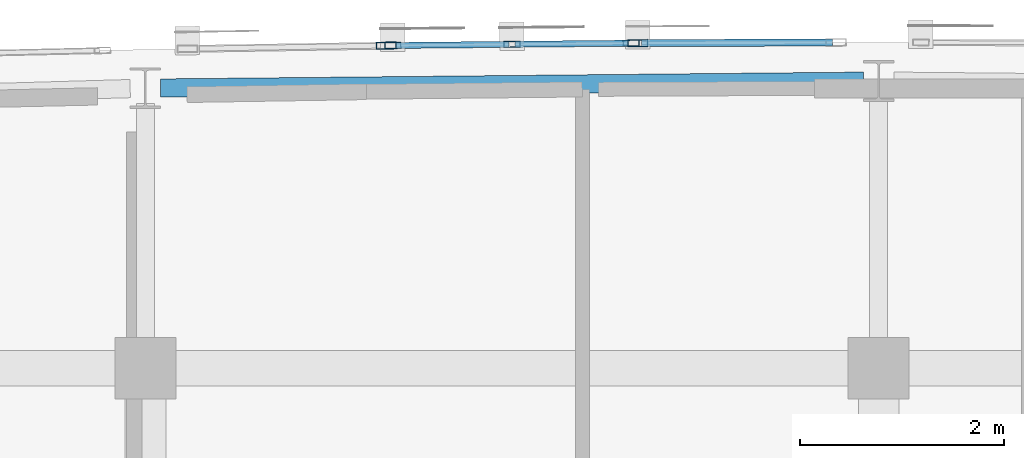
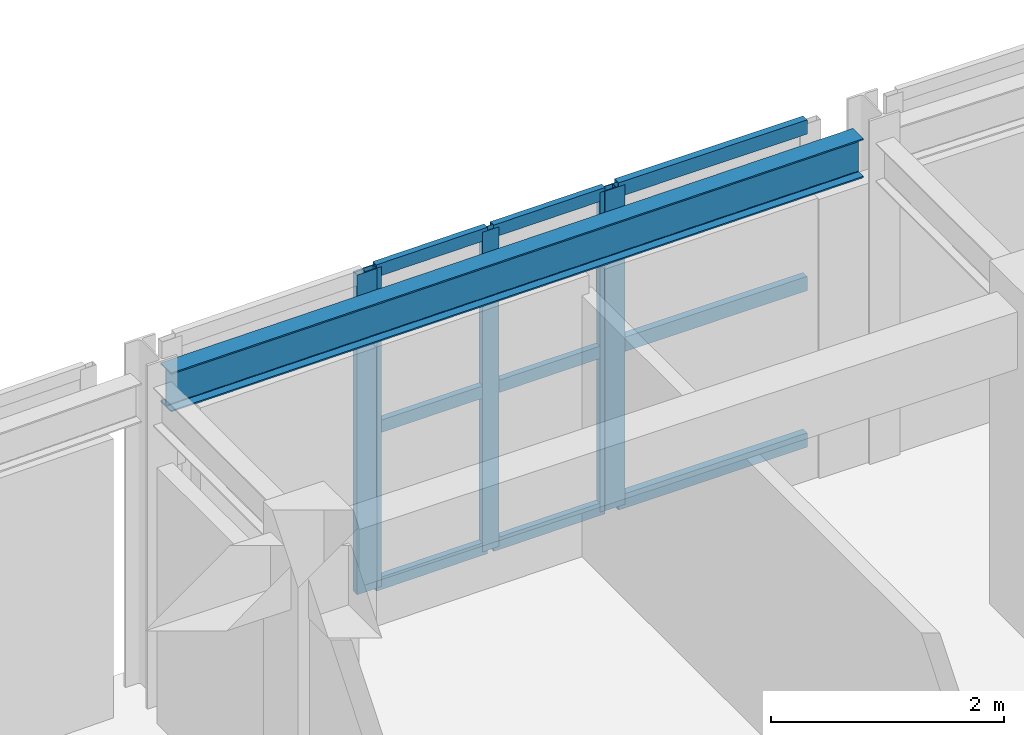
# One storey, part 16 of 48: 14 members, 1 beam, 3 elements without a shape of their own.
"""IFC4 building model written with IfcOpenShell, lengths in metres."""

from ifc_helpers import new_model, si_unit, direction, frame, origin, origin_2d, place, context, subcontext, project, spatial, hollow_rectangle, i_section, extrude, material, layer, layer_set, material_profile, profile_set, type_object, element, aggregate, save


model = new_model("IFC4")

# Units and contexts
model_context = context("Model", 3, precision=1e-05, world=origin(), true_north=direction((0.0, 1.0)))
body_context = subcontext(model_context, "Body", "Model", "MODEL_VIEW")
ifc_project = project(units=[si_unit("LENGTHUNIT", "METRE"), si_unit("AREAUNIT", "SQUARE_METRE"), si_unit("VOLUMEUNIT", "CUBIC_METRE"), si_unit("PLANEANGLEUNIT", "RADIAN"), si_unit("MASSUNIT", "GRAM", prefix="KILO")], contexts=[model_context])

# Site, building, storey
site_placement = place(None, origin())
site = spatial("IfcSite", under=ifc_project, at=site_placement, CompositionType="ELEMENT")
building_placement = place(site_placement, origin())
building = spatial("IfcBuilding", under=site, at=building_placement, Name="Carrowvane Square Congress Hotel", CompositionType="ELEMENT")
storey_placement = place(building_placement, frame((0.0, 0.0, 26.39990234375)))
storey = spatial("IfcBuildingStorey", under=building, at=storey_placement, Name="L06", CompositionType="ELEMENT", Elevation=26.39990234375)

# Beam
ifc_material_1 = material(Name="Steel S355", Category="steel")
ifc_material_profile_1 = material_profile(ifc_material_1, i_section(OverallWidth=0.1787109375, OverallDepth=0.409423828125, WebThickness=0.0087890625, FlangeThickness=0.014404296875, FilletRadius=0.01025390625, at=origin_2d()), Name="UKB 406x178x67")
ifc_profile_set_1 = profile_set([ifc_material_profile_1], Name="Steel S355")
beam_type = type_object("IfcBeamType", Name="BM-ST-UKB406", PredefinedType="BEAM", material=ifc_profile_set_1)
beam_placement = place(storey_placement, frame((90.949951171875, 116.1513671875, 3.1455078125), z_axis=(0.999952666563, 0.00972957518, 0.0), x_axis=(-0.00972957518, 0.999952666563, 0.0)))
element("IfcBeam", 1, at=beam_placement, inside=storey, type_object=beam_type, Name="L07 curved north spandrel", PredefinedType="BEAM", context=body_context, shape_type="SweptSolid", body=[
    extrude(i_section(OverallWidth=0.1787109375, OverallDepth=0.409423828125, WebThickness=0.0087890625, FlangeThickness=0.014404296875, FilletRadius=0.01025390625, at=origin_2d()), origin(), (0.0, 0.0, 1.0), 6.900390625),
])

# Curtain wall, members
ifc_material_2 = material(Name="Anodised aluminium", Category="aluminium")
ifc_layer_1 = layer(ifc_material_2, 0.2099609375)
ifc_layer_set_1 = layer_set([ifc_layer_1], Name="Anodised aluminium")
curtain_wall_type_1 = type_object("IfcCurtainWallType", Name="CW-SYS-5", PredefinedType="NOTDEFINED", material=ifc_layer_set_1)
curtain_wall_1_placement = place(storey_placement, origin())
curtain_wall_1 = element("IfcCurtainWall", 2, at=curtain_wall_1_placement, inside=storey, type_object=curtain_wall_type_1, Name="L06 unitised curtain wall 380", PredefinedType="NOTDEFINED")
ifc_material_3 = material(Name="Anodised aluminium", Category="aluminium")
ifc_material_profile_2 = material_profile(ifc_material_3, hollow_rectangle(XDim=0.06005859375, YDim=0.159912109375, WallThickness=0.00390625, at=origin_2d()), Name="CW-ML 60x160x4")
ifc_profile_set_2 = profile_set([ifc_material_profile_2], Name="Anodised aluminium")
member_type_1 = type_object("IfcMemberType", Name="CW-MUL-1", PredefinedType="MULLION", material=ifc_profile_set_2)
member_1_placement = place(storey_placement, frame((93.22998046875, 116.56884765625, 0.0), z_axis=(0.0, 0.0, 1.0), x_axis=(-0.009782905924, 0.999952146231, 0.0)))
member_1 = element("IfcMember", 3, at=member_1_placement, type_object=member_type_1, Name="CW-5 mullion 1", PredefinedType="MULLION", context=body_context, shape_type="SweptSolid", body=[
    extrude(hollow_rectangle(XDim=0.06005859375, YDim=0.159912109375, WallThickness=0.00390625, at=origin_2d()), origin(), (0.0, 0.0, 1.0), 3.35009765625),
])
member_2_placement = place(storey_placement, frame((94.39990234375, 116.580322265625, 0.0), z_axis=(0.0, 0.0, 1.0), x_axis=(-0.009782905924, 0.999952146231, 0.0)))
member_2 = element("IfcMember", 4, at=member_2_placement, type_object=member_type_1, Name="CW-5 mullion 2", PredefinedType="MULLION", context=body_context, shape_type="SweptSolid", body=[
    extrude(hollow_rectangle(XDim=0.06005859375, YDim=0.159912109375, WallThickness=0.00390625, at=origin_2d()), origin(), (0.0, 0.0, 1.0), 3.35009765625),
])
member_3_placement = place(storey_placement, frame((95.570068359375, 116.591796875, 0.0), z_axis=(0.0, 0.0, 1.0), x_axis=(-0.009782905924, 0.999952146231, 0.0)))
member_3 = element("IfcMember", 5, at=member_3_placement, type_object=member_type_1, Name="CW-5 mullion 3", PredefinedType="MULLION", context=body_context, shape_type="SweptSolid", body=[
    extrude(hollow_rectangle(XDim=0.06005859375, YDim=0.159912109375, WallThickness=0.00390625, at=origin_2d()), origin(), (0.0, 0.0, 1.0), 3.35009765625),
])

# Curtain wall, member
ifc_material_4 = material(Name="Anodised aluminium", Category="aluminium")
ifc_layer_2 = layer(ifc_material_4, 0.197998046875)
ifc_layer_set_2 = layer_set([ifc_layer_2], Name="Anodised aluminium")
curtain_wall_type_2 = type_object("IfcCurtainWallType", Name="CW-SYS-4", PredefinedType="NOTDEFINED", material=ifc_layer_set_2)
curtain_wall_2_placement = place(storey_placement, origin())
curtain_wall_2 = element("IfcCurtainWall", 6, at=curtain_wall_2_placement, inside=storey, type_object=curtain_wall_type_2, Name="L06 unitised curtain wall 379", PredefinedType="NOTDEFINED")
ifc_material_5 = material(Name="Anodised aluminium", Category="aluminium")
ifc_material_profile_3 = material_profile(ifc_material_5, hollow_rectangle(XDim=0.070068359375, YDim=0.199951171875, WallThickness=0.0048828125, at=origin_2d()), Name="CW-ML 70x200x5")
ifc_profile_set_3 = profile_set([ifc_material_profile_3], Name="Anodised aluminium")
member_type_2 = type_object("IfcMemberType", Name="CW-MUL-2", PredefinedType="MULLION", material=ifc_profile_set_3)
member_4_placement = place(storey_placement, frame((93.1650390625, 116.568115234375, 0.0), z_axis=(0.0, 0.0, 1.0), x_axis=(-0.016215981364, 0.99986851233, 0.0)))
member_4 = element("IfcMember", 7, at=member_4_placement, type_object=member_type_2, Name="CW-4 mullion 2", PredefinedType="MULLION", context=body_context, shape_type="SweptSolid", body=[
    extrude(hollow_rectangle(XDim=0.070068359375, YDim=0.199951171875, WallThickness=0.0048828125, at=origin_2d()), origin(), (0.0, 0.0, 1.0), 3.35009765625),
])
aggregate(curtain_wall_2, [member_4])

ifc_material_6 = material(Name="Anodised aluminium", Category="aluminium")
ifc_layer_3 = layer(ifc_material_6, 0.221923828125)
ifc_layer_set_3 = layer_set([ifc_layer_3], Name="Anodised aluminium")
curtain_wall_type_3 = type_object("IfcCurtainWallType", Name="CW-SYS-6", PredefinedType="NOTDEFINED", material=ifc_layer_set_3)
curtain_wall_3_placement = place(storey_placement, origin())
curtain_wall_3 = element("IfcCurtainWall", 8, at=curtain_wall_3_placement, inside=storey, type_object=curtain_wall_type_3, Name="L06 unitised curtain wall 381", PredefinedType="NOTDEFINED")
member_5_placement = place(storey_placement, frame((95.635009765625, 116.59228515625, 0.0), z_axis=(0.0, 0.0, 1.0), x_axis=(-0.003270307911, 0.999994652529, 0.0)))
member_5 = element("IfcMember", 9, at=member_5_placement, type_object=member_type_2, Name="CW-6 mullion 1", PredefinedType="MULLION", context=body_context, shape_type="SweptSolid", body=[
    extrude(hollow_rectangle(XDim=0.070068359375, YDim=0.199951171875, WallThickness=0.0048828125, at=origin_2d()), origin(), (0.0, 0.0, 1.0), 3.35009765625),
])

# Member
ifc_material_7 = material(Name="Anodised aluminium", Category="aluminium")
ifc_material_profile_4 = material_profile(ifc_material_7, hollow_rectangle(XDim=0.06005859375, YDim=0.1298828125, WallThickness=0.00390625, at=origin_2d()), Name="CW-TR 60x130x4")
ifc_profile_set_4 = profile_set([ifc_material_profile_4], Name="Anodised aluminium")
member_type_3 = type_object("IfcMemberType", Name="CW-TRN-1", PredefinedType="USERDEFINED", material=ifc_profile_set_4)
member_6_placement = place(storey_placement, frame((93.260009765625, 116.5693359375, 0.030029296875), z_axis=(0.99995318393, 0.009676256893, 0.0), x_axis=(-0.009676256893, 0.99995318393, 0.0)))
member_6 = element("IfcMember", 10, at=member_6_placement, type_object=member_type_3, Name="CW-5 transom 1.1", ObjectType="TRANSOM", PredefinedType="USERDEFINED", context=body_context, shape_type="SweptSolid", body=[
    extrude(hollow_rectangle(XDim=0.06005859375, YDim=0.1298828125, WallThickness=0.00390625, at=origin_2d()), origin(), (0.0, 0.0, 1.0), 1.110107421875),
])

member_7_placement = place(storey_placement, frame((93.260009765625, 116.5693359375, 1.675048828125), z_axis=(0.99995318393, 0.009676256893, 0.0), x_axis=(-0.009676256893, 0.99995318393, 0.0)))
member_7 = element("IfcMember", 11, at=member_7_placement, type_object=member_type_3, Name="CW-5 transom 1.2", ObjectType="TRANSOM", PredefinedType="USERDEFINED", context=body_context, shape_type="SweptSolid", body=[
    extrude(hollow_rectangle(XDim=0.06005859375, YDim=0.1298828125, WallThickness=0.00390625, at=origin_2d()), origin(), (0.0, 0.0, 1.0), 1.110107421875),
])

member_8_placement = place(storey_placement, frame((93.260009765625, 116.5693359375, 3.320068359375), z_axis=(0.99995318393, 0.009676256893, 0.0), x_axis=(-0.009676256893, 0.99995318393, 0.0)))
member_8 = element("IfcMember", 12, at=member_8_placement, type_object=member_type_3, Name="CW-5 transom 1.3", ObjectType="TRANSOM", PredefinedType="USERDEFINED", context=body_context, shape_type="SweptSolid", body=[
    extrude(hollow_rectangle(XDim=0.06005859375, YDim=0.1298828125, WallThickness=0.00390625, at=origin_2d()), origin(), (0.0, 0.0, 1.0), 1.110107421875),
])

member_9_placement = place(storey_placement, frame((94.429931640625, 116.580810546875, 0.030029296875), z_axis=(0.99995318393, 0.009676256893, 0.0), x_axis=(-0.009676256893, 0.99995318393, 0.0)))
member_9 = element("IfcMember", 13, at=member_9_placement, type_object=member_type_3, Name="CW-5 transom 2.1", ObjectType="TRANSOM", PredefinedType="USERDEFINED", context=body_context, shape_type="SweptSolid", body=[
    extrude(hollow_rectangle(XDim=0.06005859375, YDim=0.1298828125, WallThickness=0.00390625, at=origin_2d()), origin(), (0.0, 0.0, 1.0), 1.110107421875),
])

member_10_placement = place(storey_placement, frame((94.429931640625, 116.580810546875, 1.675048828125), z_axis=(0.99995318393, 0.009676256893, 0.0), x_axis=(-0.009676256893, 0.99995318393, 0.0)))
member_10 = element("IfcMember", 14, at=member_10_placement, type_object=member_type_3, Name="CW-5 transom 2.2", ObjectType="TRANSOM", PredefinedType="USERDEFINED", context=body_context, shape_type="SweptSolid", body=[
    extrude(hollow_rectangle(XDim=0.06005859375, YDim=0.1298828125, WallThickness=0.00390625, at=origin_2d()), origin(), (0.0, 0.0, 1.0), 1.110107421875),
])

member_11_placement = place(storey_placement, frame((94.429931640625, 116.580810546875, 3.320068359375), z_axis=(0.99995318393, 0.009676256893, 0.0), x_axis=(-0.009676256893, 0.99995318393, 0.0)))
member_11 = element("IfcMember", 15, at=member_11_placement, type_object=member_type_3, Name="CW-5 transom 2.3", ObjectType="TRANSOM", PredefinedType="USERDEFINED", context=body_context, shape_type="SweptSolid", body=[
    extrude(hollow_rectangle(XDim=0.06005859375, YDim=0.1298828125, WallThickness=0.00390625, at=origin_2d()), origin(), (0.0, 0.0, 1.0), 1.110107421875),
])

aggregate(curtain_wall_1, [member_1, member_2, member_3, member_6, member_7, member_8, member_9, member_10, member_11])

ifc_material_8 = material(Name="Anodised aluminium", Category="aluminium")
ifc_material_profile_5 = material_profile(ifc_material_8, hollow_rectangle(XDim=0.070068359375, YDim=0.14990234375, WallThickness=0.0048828125, at=origin_2d()), Name="CW-TR 70x150x5")
ifc_profile_set_5 = profile_set([ifc_material_profile_5], Name="Anodised aluminium")
member_type_4 = type_object("IfcMemberType", Name="CW-TRN-2", PredefinedType="USERDEFINED", material=ifc_profile_set_5)
member_12_placement = place(storey_placement, frame((95.669921875, 116.59228515625, 0.03515625), z_axis=(0.999994271018, 0.003384956522, 0.0), x_axis=(-0.003384956522, 0.999994271018, 0.0)))
member_12 = element("IfcMember", 16, at=member_12_placement, type_object=member_type_4, Name="CW-6 transom 1.1", ObjectType="TRANSOM", PredefinedType="USERDEFINED", context=body_context, shape_type="SweptSolid", body=[
    extrude(hollow_rectangle(XDim=0.070068359375, YDim=0.14990234375, WallThickness=0.0048828125, at=origin_2d()), origin(), (0.0, 0.0, 1.0), 1.875244140625),
])

member_13_placement = place(storey_placement, frame((95.669921875, 116.59228515625, 1.675048828125), z_axis=(0.999994271018, 0.003384956522, 0.0), x_axis=(-0.003384956522, 0.999994271018, 0.0)))
member_13 = element("IfcMember", 17, at=member_13_placement, type_object=member_type_4, Name="CW-6 transom 1.2", ObjectType="TRANSOM", PredefinedType="USERDEFINED", context=body_context, shape_type="SweptSolid", body=[
    extrude(hollow_rectangle(XDim=0.070068359375, YDim=0.14990234375, WallThickness=0.0048828125, at=origin_2d()), origin(), (0.0, 0.0, 1.0), 1.875244140625),
])

member_14_placement = place(storey_placement, frame((95.669921875, 116.59228515625, 3.315185546875), z_axis=(0.999994271018, 0.003384956522, 0.0), x_axis=(-0.003384956522, 0.999994271018, 0.0)))
member_14 = element("IfcMember", 18, at=member_14_placement, type_object=member_type_4, Name="CW-6 transom 1.3", ObjectType="TRANSOM", PredefinedType="USERDEFINED", context=body_context, shape_type="SweptSolid", body=[
    extrude(hollow_rectangle(XDim=0.070068359375, YDim=0.14990234375, WallThickness=0.0048828125, at=origin_2d()), origin(), (0.0, 0.0, 1.0), 1.875244140625),
])

aggregate(curtain_wall_3, [member_5, member_12, member_13, member_14])

save(model, "model.ifc")
